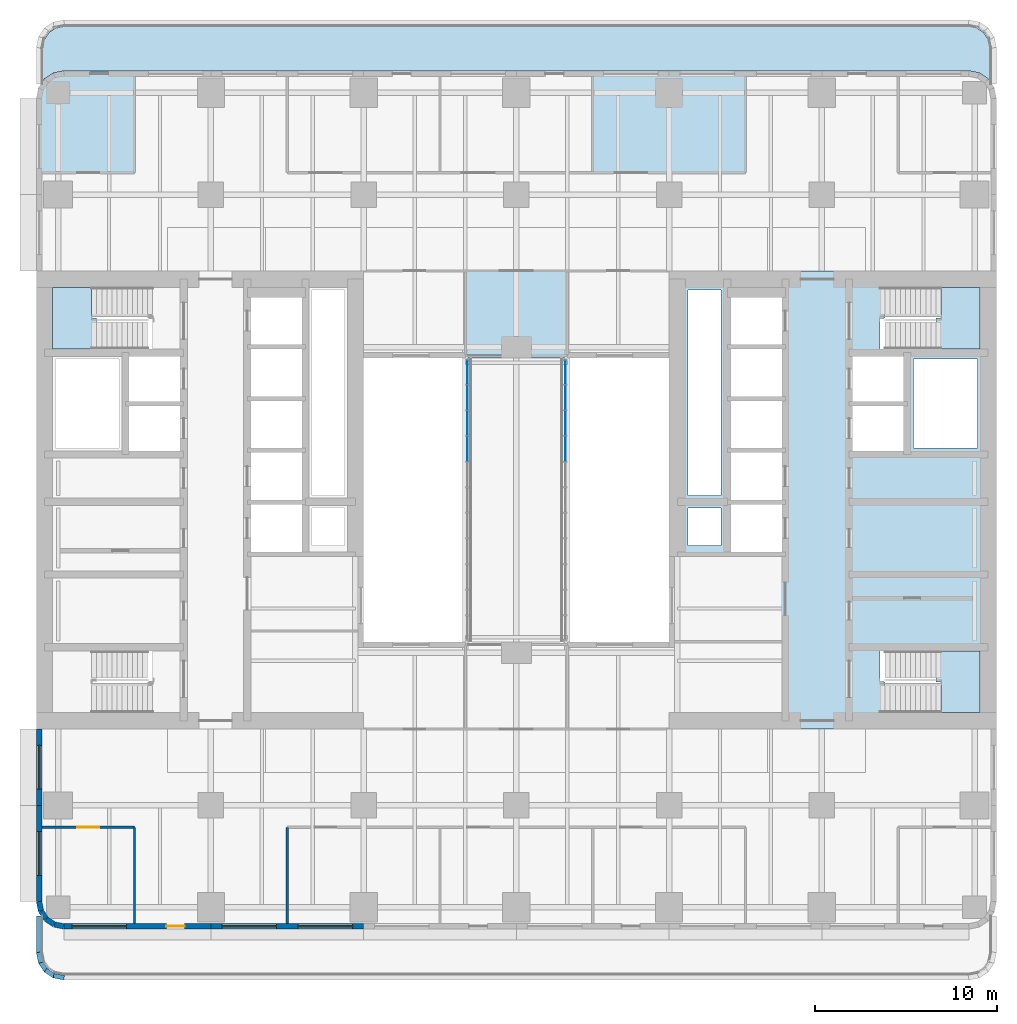
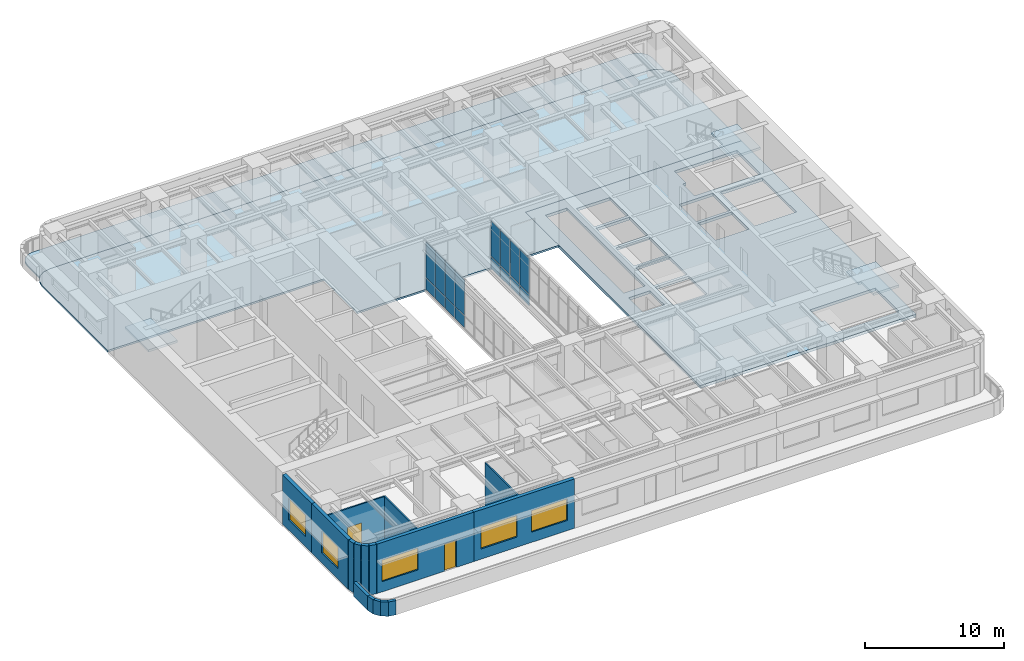
# One storey, part 7 of 17: 16 plates, 16 walls, 6 slabs, 5 windows, 2 doors, 7 openings, 5 elements without a shape of their own.
"""IFC4 building model written with IfcOpenShell, lengths in metres."""

from ifc_helpers import new_model, si_unit, direction, frame, frame_2d, origin, origin_2d, place, context, subcontext, project, spatial, polyline, rectangle, outline, extrude, material, layer, layer_set, type_object, element, fill, aggregate, save


model = new_model("IFC4")

# Units and contexts
model_context = context("Model", 3, precision=1e-05, world=origin(), true_north=direction((0.0, 1.0)))
body_context = subcontext(model_context, "Body", "Model", "MODEL_VIEW")
ifc_project = project(units=[si_unit("LENGTHUNIT", "METRE"), si_unit("AREAUNIT", "SQUARE_METRE"), si_unit("VOLUMEUNIT", "CUBIC_METRE"), si_unit("PLANEANGLEUNIT", "RADIAN"), si_unit("MASSUNIT", "GRAM", prefix="KILO")], contexts=[model_context])

# Site, building, storey
site_placement = place(None, origin())
site = spatial("IfcSite", under=ifc_project, at=site_placement, CompositionType="ELEMENT")
building_placement = place(site_placement, origin())
building = spatial("IfcBuilding", under=site, at=building_placement, Name="Claustro Exchange Tower", CompositionType="ELEMENT")
storey_placement = place(building_placement, frame((0.0, 0.0, 96.300048828125)))
storey = spatial("IfcBuildingStorey", under=building, at=storey_placement, Name="L21", CompositionType="ELEMENT", Elevation=96.300048828125)

# Curtain wall, plates
ifc_material_1 = material(Name="Aluminium frame, clear double glazing", Category="aluminium")
curtain_wall_type = type_object("IfcCurtainWallType", Name="CW2 sky bridge curtain wall", PredefinedType="USERDEFINED", material=ifc_material_1)
curtain_wall_1_placement = place(storey_placement, origin())
curtain_wall_1 = element("IfcCurtainWall", 1, at=curtain_wall_1_placement, inside=storey, type_object=curtain_wall_type, Name="Curtain wall CW2 L21", ObjectType="STICK CURTAIN WALL", PredefinedType="USERDEFINED")
ifc_material_2 = material(Name="Clear double glazing", Category="glass")
ifc_layer_1 = layer(ifc_material_2, 0.028076171875)
ifc_layer_set_1 = layer_set([ifc_layer_1], Name="Clear double glazing")
plate_type = type_object("IfcPlateType", Name="CW2-P 28 glazed panel", PredefinedType="CURTAIN_PANEL", material=ifc_layer_set_1)
plate_1_placement = place(storey_placement, frame((22.5, 28.01806640625, 0.06005859375), z_axis=(0.0, 0.0, 1.0), x_axis=(0.0, 1.0, 0.0)))
plate_1 = element("IfcPlate", 2, at=plate_1_placement, type_object=plate_type, Name="CW2 panel 8.1", PredefinedType="CURTAIN_PANEL", context=body_context, shape_type="SweptSolid", body=[
    extrude(rectangle(XDim=1.34912109375, YDim=0.028076171875, at=origin_2d()), origin(), (0.0, 0.0, 1.0), 1.010009765625),
])
plate_2_placement = place(storey_placement, frame((22.5, 28.01806640625, 1.1298828125), z_axis=(0.0, 0.0, 1.0), x_axis=(0.0, 1.0, 0.0)))
plate_2 = element("IfcPlate", 3, at=plate_2_placement, type_object=plate_type, Name="CW2 panel 8.2", PredefinedType="CURTAIN_PANEL", context=body_context, shape_type="SweptSolid", body=[
    extrude(rectangle(XDim=1.34912109375, YDim=0.028076171875, at=origin_2d()), origin(), (0.0, 0.0, 1.0), 3.110107421875),
])
plate_3_placement = place(storey_placement, frame((22.5, 29.42724609375, 0.06005859375), z_axis=(0.0, 0.0, 1.0), x_axis=(0.0, 1.0, 0.0)))
plate_3 = element("IfcPlate", 4, at=plate_3_placement, type_object=plate_type, Name="CW2 panel 9.1", PredefinedType="CURTAIN_PANEL", context=body_context, shape_type="SweptSolid", body=[
    extrude(rectangle(XDim=1.34912109375, YDim=0.028076171875, at=origin_2d()), origin(), (0.0, 0.0, 1.0), 1.010009765625),
])
plate_4_placement = place(storey_placement, frame((22.5, 29.42724609375, 1.1298828125), z_axis=(0.0, 0.0, 1.0), x_axis=(0.0, 1.0, 0.0)))
plate_4 = element("IfcPlate", 5, at=plate_4_placement, type_object=plate_type, Name="CW2 panel 9.2", PredefinedType="CURTAIN_PANEL", context=body_context, shape_type="SweptSolid", body=[
    extrude(rectangle(XDim=1.34912109375, YDim=0.028076171875, at=origin_2d()), origin(), (0.0, 0.0, 1.0), 3.110107421875),
])
plate_5_placement = place(storey_placement, frame((22.5, 30.83642578125, 0.06005859375), z_axis=(0.0, 0.0, 1.0), x_axis=(0.0, 1.0, 0.0)))
plate_5 = element("IfcPlate", 6, at=plate_5_placement, type_object=plate_type, Name="CW2 panel 10.1", PredefinedType="CURTAIN_PANEL", context=body_context, shape_type="SweptSolid", body=[
    extrude(rectangle(XDim=1.34912109375, YDim=0.028076171875, at=origin_2d()), origin(), (0.0, 0.0, 1.0), 1.010009765625),
])
plate_6_placement = place(storey_placement, frame((22.5, 30.83642578125, 1.1298828125), z_axis=(0.0, 0.0, 1.0), x_axis=(0.0, 1.0, 0.0)))
plate_6 = element("IfcPlate", 7, at=plate_6_placement, type_object=plate_type, Name="CW2 panel 10.2", PredefinedType="CURTAIN_PANEL", context=body_context, shape_type="SweptSolid", body=[
    extrude(rectangle(XDim=1.34912109375, YDim=0.028076171875, at=origin_2d()), origin(), (0.0, 0.0, 1.0), 3.110107421875),
])
plate_7_placement = place(storey_placement, frame((22.5, 32.23046875, 0.06005859375), z_axis=(0.0, 0.0, 1.0), x_axis=(0.0, 1.0, 0.0)))
plate_7 = element("IfcPlate", 8, at=plate_7_placement, type_object=plate_type, Name="CW2 panel 11.1", PredefinedType="CURTAIN_PANEL", context=body_context, shape_type="SweptSolid", body=[
    extrude(rectangle(XDim=1.319091796875, YDim=0.028076171875, at=origin_2d()), origin(), (0.0, 0.0, 1.0), 1.010009765625),
])
plate_8_placement = place(storey_placement, frame((22.5, 32.23046875, 1.1298828125), z_axis=(0.0, 0.0, 1.0), x_axis=(0.0, 1.0, 0.0)))
plate_8 = element("IfcPlate", 9, at=plate_8_placement, type_object=plate_type, Name="CW2 panel 11.2", PredefinedType="CURTAIN_PANEL", context=body_context, shape_type="SweptSolid", body=[
    extrude(rectangle(XDim=1.319091796875, YDim=0.028076171875, at=origin_2d()), origin(), (0.0, 0.0, 1.0), 3.110107421875),
])
aggregate(curtain_wall_1, [plate_1, plate_2, plate_3, plate_4, plate_5, plate_6, plate_7, plate_8])

curtain_wall_2_placement = place(storey_placement, origin())
curtain_wall_2 = element("IfcCurtainWall", 10, at=curtain_wall_2_placement, inside=storey, type_object=curtain_wall_type, Name="Curtain wall CW2 L21", ObjectType="STICK CURTAIN WALL", PredefinedType="USERDEFINED")
plate_9_placement = place(storey_placement, frame((27.89990234375, 28.01806640625, 0.06005859375), z_axis=(0.0, 0.0, 1.0), x_axis=(0.0, 1.0, 0.0)))
plate_9 = element("IfcPlate", 11, at=plate_9_placement, type_object=plate_type, Name="CW2 panel 8.1", PredefinedType="CURTAIN_PANEL", context=body_context, shape_type="SweptSolid", body=[
    extrude(rectangle(XDim=1.34912109375, YDim=0.028076171875, at=origin_2d()), origin(), (0.0, 0.0, 1.0), 1.010009765625),
])
plate_10_placement = place(storey_placement, frame((27.89990234375, 28.01806640625, 1.1298828125), z_axis=(0.0, 0.0, 1.0), x_axis=(0.0, 1.0, 0.0)))
plate_10 = element("IfcPlate", 12, at=plate_10_placement, type_object=plate_type, Name="CW2 panel 8.2", PredefinedType="CURTAIN_PANEL", context=body_context, shape_type="SweptSolid", body=[
    extrude(rectangle(XDim=1.34912109375, YDim=0.028076171875, at=origin_2d()), origin(), (0.0, 0.0, 1.0), 3.110107421875),
])
plate_11_placement = place(storey_placement, frame((27.89990234375, 29.42724609375, 0.06005859375), z_axis=(0.0, 0.0, 1.0), x_axis=(0.0, 1.0, 0.0)))
plate_11 = element("IfcPlate", 13, at=plate_11_placement, type_object=plate_type, Name="CW2 panel 9.1", PredefinedType="CURTAIN_PANEL", context=body_context, shape_type="SweptSolid", body=[
    extrude(rectangle(XDim=1.34912109375, YDim=0.028076171875, at=origin_2d()), origin(), (0.0, 0.0, 1.0), 1.010009765625),
])
plate_12_placement = place(storey_placement, frame((27.89990234375, 29.42724609375, 1.1298828125), z_axis=(0.0, 0.0, 1.0), x_axis=(0.0, 1.0, 0.0)))
plate_12 = element("IfcPlate", 14, at=plate_12_placement, type_object=plate_type, Name="CW2 panel 9.2", PredefinedType="CURTAIN_PANEL", context=body_context, shape_type="SweptSolid", body=[
    extrude(rectangle(XDim=1.34912109375, YDim=0.028076171875, at=origin_2d()), origin(), (0.0, 0.0, 1.0), 3.110107421875),
])
plate_13_placement = place(storey_placement, frame((27.89990234375, 30.83642578125, 0.06005859375), z_axis=(0.0, 0.0, 1.0), x_axis=(0.0, 1.0, 0.0)))
plate_13 = element("IfcPlate", 15, at=plate_13_placement, type_object=plate_type, Name="CW2 panel 10.1", PredefinedType="CURTAIN_PANEL", context=body_context, shape_type="SweptSolid", body=[
    extrude(rectangle(XDim=1.34912109375, YDim=0.028076171875, at=origin_2d()), origin(), (0.0, 0.0, 1.0), 1.010009765625),
])
plate_14_placement = place(storey_placement, frame((27.89990234375, 30.83642578125, 1.1298828125), z_axis=(0.0, 0.0, 1.0), x_axis=(0.0, 1.0, 0.0)))
plate_14 = element("IfcPlate", 16, at=plate_14_placement, type_object=plate_type, Name="CW2 panel 10.2", PredefinedType="CURTAIN_PANEL", context=body_context, shape_type="SweptSolid", body=[
    extrude(rectangle(XDim=1.34912109375, YDim=0.028076171875, at=origin_2d()), origin(), (0.0, 0.0, 1.0), 3.110107421875),
])
plate_15_placement = place(storey_placement, frame((27.89990234375, 32.23046875, 0.06005859375), z_axis=(0.0, 0.0, 1.0), x_axis=(0.0, 1.0, 0.0)))
plate_15 = element("IfcPlate", 17, at=plate_15_placement, type_object=plate_type, Name="CW2 panel 11.1", PredefinedType="CURTAIN_PANEL", context=body_context, shape_type="SweptSolid", body=[
    extrude(rectangle(XDim=1.319091796875, YDim=0.028076171875, at=origin_2d()), origin(), (0.0, 0.0, 1.0), 1.010009765625),
])
plate_16_placement = place(storey_placement, frame((27.89990234375, 32.23046875, 1.1298828125), z_axis=(0.0, 0.0, 1.0), x_axis=(0.0, 1.0, 0.0)))
plate_16 = element("IfcPlate", 18, at=plate_16_placement, type_object=plate_type, Name="CW2 panel 11.2", PredefinedType="CURTAIN_PANEL", context=body_context, shape_type="SweptSolid", body=[
    extrude(rectangle(XDim=1.319091796875, YDim=0.028076171875, at=origin_2d()), origin(), (0.0, 0.0, 1.0), 3.110107421875),
])
aggregate(curtain_wall_2, [plate_9, plate_10, plate_11, plate_12, plate_13, plate_14, plate_15, plate_16])

# Slabs
ifc_material_3 = material(Name="Precast concrete HA-30 (C30/37) paving slabs on adjustable pedestals over the inverted roof membrane", Category="concrete")
ifc_layer_2 = layer(ifc_material_3, 0.159912109375)
ifc_layer_set_2 = layer_set([ifc_layer_2], Name="Precast concrete HA-30 (C30/37) paving slabs on adjustable pedestals over the inverted roof membrane")
slab_type_1 = type_object("IfcSlabType", Name="PV2 160 terrace paving on pedestals", PredefinedType="USERDEFINED", material=ifc_layer_set_2)
slab_1_placement = place(storey_placement, frame((0.0, 0.0, -0.16015625)))
element("IfcSlab", 19, at=slab_1_placement, inside=storey, type_object=slab_type_1, Name="Terrace paving PV2 L21", ObjectType="PAVING", PredefinedType="USERDEFINED", context=body_context, shape_type="SweptSolid", body=[
    extrude(outline(polyline([(-0.85009765625, 50.0654296875), (-0.85009765625, 48.74609375), (-0.85009765625, 48.721923828125), (-0.85009765625, 48.22705078125), (-0.7607421875, 48.360595703125), (-0.27392578125, 48.685791015625), (0.300048828125, 48.800048828125), (50.10009765625, 48.800048828125), (50.674072265625, 48.685791015625), (51.16064453125, 48.360595703125), (51.25, 48.22705078125), (51.25, 48.721923828125), (51.25, 48.74609375), (51.25, 50.0654296875), (51.156005859375, 50.53759765625), (50.908447265625, 50.908447265625), (50.53759765625, 51.156005859375), (50.0654296875, 51.25), (0.33447265625, 51.25), (-0.137451171875, 51.156005859375), (-0.50830078125, 50.908447265625), (-0.756103515625, 50.53759765625), (-0.85009765625, 50.0654296875)])), origin(), (0.0, 0.0, 1.0), 0.16015625),
])
ifc_material_4 = material(Name="Concrete HA-50 (C50/60)", Category="concrete")
ifc_layer_3 = layer(ifc_material_4, 0.159912109375)
ifc_layer_set_3 = layer_set([ifc_layer_3], Name="Concrete HA-50 (C50/60)")
slab_type_2 = type_object("IfcSlabType", Name="S1 160 composite floor slab", PredefinedType="FLOOR", material=ifc_layer_set_3)
slab_2_placement = place(storey_placement, frame((0.0, 0.0, -0.16015625)))
element("IfcSlab", 20, at=slab_2_placement, inside=storey, type_object=slab_type_2, Name="Floor slab S1 N L21", PredefinedType="FLOOR", context=body_context, shape_type="SweptSolid", body=[
    extrude(outline(polyline([(16.800048828125, 37.800048828125), (16.800048828125, 33.0), (33.60009765625, 33.0), (33.60009765625, 37.800048828125), (51.60009765625, 37.800048828125), (51.60009765625, 47.300048828125), (51.48583984375, 47.8740234375), (51.16064453125, 48.360595703125), (50.674072265625, 48.685791015625), (50.10009765625, 48.800048828125), (0.300048828125, 48.800048828125), (-0.27392578125, 48.685791015625), (-0.7607421875, 48.360595703125), (-1.085693359375, 47.8740234375), (-1.199951171875, 47.300048828125), (-1.199951171875, 37.800048828125), (16.800048828125, 37.800048828125)])), origin(), (0.0, 0.0, 1.0), 0.16015625),
])
ifc_material_5 = material(Name="Concrete HA-50 (C50/60)", Category="concrete")
ifc_layer_4 = layer(ifc_material_5, 0.25)
ifc_layer_set_4 = layer_set([ifc_layer_4], Name="Concrete HA-50 (C50/60)")
slab_type_3 = type_object("IfcSlabType", Name="S7 250 core floor slab", PredefinedType="FLOOR", material=ifc_layer_set_4)
slab_3_placement = place(storey_placement, frame((0.0, 0.0, -0.25)))
element("IfcSlab", 21, at=slab_3_placement, inside=storey, type_object=slab_type_3, Name="Core floor slab S7 E core L21", PredefinedType="FLOOR", context=body_context, shape_type="SweptSolid", body=[
    extrude(outline(polyline([(33.60009765625, 12.60009765625), (51.60009765625, 12.60009765625), (51.60009765625, 37.800048828125), (33.60009765625, 37.800048828125), (33.60009765625, 12.60009765625)]), holes=[polyline([(45.47998046875, 15.199951171875), (45.205078125, 15.199951171875), (45.205078125, 16.89990234375), (50.699951171875, 16.89990234375), (50.699951171875, 15.199951171875), (50.699951171875, 13.5), (45.47998046875, 13.5), (45.47998046875, 15.199951171875)]), polyline([(45.47998046875, 35.199951171875), (45.47998046875, 36.89990234375), (50.699951171875, 36.89990234375), (50.699951171875, 35.199951171875), (50.699951171875, 33.5), (45.205078125, 33.5), (45.205078125, 35.199951171875), (45.47998046875, 35.199951171875)]), polyline([(50.550048828125, 32.949951171875), (50.550048828125, 28.050048828125), (47.050048828125, 28.050048828125), (47.050048828125, 32.949951171875), (50.550048828125, 32.949951171875)]), polyline([(43.699951171875, 33.10009765625), (46.5, 33.10009765625), (46.5, 30.625), (43.699951171875, 30.625), (43.699951171875, 33.10009765625)]), polyline([(46.5, 30.375), (46.5, 27.89990234375), (43.699951171875, 27.89990234375), (43.699951171875, 30.375), (46.5, 30.375)]), polyline([(37.0, 24.949951171875), (39.800048828125, 24.949951171875), (39.800048828125, 22.35009765625), (37.0, 22.35009765625), (37.0, 24.949951171875)]), polyline([(37.0, 30.64990234375), (39.800048828125, 30.64990234375), (39.800048828125, 28.050048828125), (37.0, 28.050048828125), (37.0, 30.64990234375)]), polyline([(39.800048828125, 27.800048828125), (39.800048828125, 25.199951171875), (37.0, 25.199951171875), (37.0, 27.800048828125), (39.800048828125, 27.800048828125)]), polyline([(39.800048828125, 33.5), (39.800048828125, 30.89990234375), (37.0, 30.89990234375), (37.0, 33.5), (39.800048828125, 33.5)]), polyline([(39.800048828125, 36.35009765625), (39.800048828125, 33.75), (37.0, 33.75), (37.0, 36.35009765625), (39.800048828125, 36.35009765625)]), polyline([(36.449951171875, 24.75), (36.449951171875, 22.699951171875), (34.64990234375, 22.699951171875), (34.64990234375, 24.75), (36.449951171875, 24.75)]), polyline([(36.449951171875, 36.75), (36.449951171875, 25.449951171875), (34.64990234375, 25.449951171875), (34.64990234375, 36.75), (36.449951171875, 36.75)])]), origin(), (0.0, 0.0, 1.0), 0.25),
])

# Stair, slab
ifc_material_6 = material(Name="Concrete HA-30 (C30/37), precast", Category="concrete")
stair_type = type_object("IfcStairType", Name="ST2 half-turn stair, 25 risers of 180", PredefinedType="HALF_TURN_STAIR", material=ifc_material_6)
stair_1_placement = place(storey_placement, origin())
stair_1 = element("IfcStair", 22, at=stair_1_placement, inside=storey, type_object=stair_type, Name="Stair STWB L21", PredefinedType="HALF_TURN_STAIR")
ifc_material_7 = material(Name="Concrete HA-30 (C30/37), precast", Category="concrete")
ifc_layer_5 = layer(ifc_material_7, 0.199951171875)
ifc_layer_set_5 = layer_set([ifc_layer_5], Name="Concrete HA-30 (C30/37), precast")
slab_type_4 = type_object("IfcSlabType", Name="S9 200 stair landing", PredefinedType="LANDING", material=ifc_layer_set_5)
slab_4_placement = place(storey_placement, frame((0.0, 0.0, 2.139892578125)))
slab_4 = element("IfcSlab", 23, at=slab_4_placement, type_object=slab_type_4, Name="STWB landing 1", PredefinedType="LANDING", context=body_context, shape_type="SweptSolid", body=[
    extrude(outline(polyline([(2.1201171875, 35.199951171875), (2.1201171875, 33.5), (1.844970703125, 33.5), (1.840087890625, 33.5), (-0.300048828125, 33.5), (-0.300048828125, 36.89990234375), (1.844970703125, 36.89990234375), (1.844970703125, 35.199951171875), (2.1201171875, 35.199951171875)])), origin(), (0.0, 0.0, 1.0), 0.199951171875),
])
aggregate(stair_1, [slab_4])

stair_2_placement = place(storey_placement, origin())
stair_2 = element("IfcStair", 24, at=stair_2_placement, inside=storey, type_object=stair_type, Name="Stair STEA L21", PredefinedType="HALF_TURN_STAIR")
slab_5_placement = place(storey_placement, frame((0.0, 0.0, 2.139892578125)))
slab_5 = element("IfcSlab", 25, at=slab_5_placement, type_object=slab_type_4, Name="STEA landing 1", PredefinedType="LANDING", context=body_context, shape_type="SweptSolid", body=[
    extrude(outline(polyline([(50.699951171875, 16.89990234375), (50.699951171875, 13.5), (48.554931640625, 13.5), (48.554931640625, 15.199951171875), (48.280029296875, 15.199951171875), (48.280029296875, 16.89990234375), (48.554931640625, 16.89990234375), (48.56005859375, 16.89990234375), (50.699951171875, 16.89990234375)])), origin(), (0.0, 0.0, 1.0), 0.199951171875),
])
aggregate(stair_2, [slab_5])

stair_3_placement = place(storey_placement, origin())
stair_3 = element("IfcStair", 26, at=stair_3_placement, inside=storey, type_object=stair_type, Name="Stair STEB L21", PredefinedType="HALF_TURN_STAIR")
slab_6_placement = place(storey_placement, frame((0.0, 0.0, 2.139892578125)))
slab_6 = element("IfcSlab", 27, at=slab_6_placement, type_object=slab_type_4, Name="STEB landing 1", PredefinedType="LANDING", context=body_context, shape_type="SweptSolid", body=[
    extrude(outline(polyline([(48.280029296875, 33.5), (48.280029296875, 35.199951171875), (48.554931640625, 35.199951171875), (48.554931640625, 36.89990234375), (50.699951171875, 36.89990234375), (50.699951171875, 33.5), (48.56005859375, 33.5), (48.554931640625, 33.5), (48.280029296875, 33.5)])), origin(), (0.0, 0.0, 1.0), 0.199951171875),
])
aggregate(stair_3, [slab_6])

# Wall, opening, door
ifc_material_8 = material(Name="Laminated glass in aluminium frame", Category="aluminium")
ifc_layer_6 = layer(ifc_material_8, 0.1201171875)
ifc_layer_set_6 = layer_set([ifc_layer_6], Name="Laminated glass in aluminium frame")
wall_type_1 = type_object("IfcWallType", Name="P2 120 glazed partition", PredefinedType="PARTITIONING", material=ifc_layer_set_6)
wall_1_placement = place(storey_placement, frame((-0.902099609375, 7.199951171875, 0.0), z_axis=(0.0, 0.0, 1.0), x_axis=(1.0, 0.0, 0.0)))
wall_1 = element("IfcWall", 28, at=wall_1_placement, inside=storey, type_object=wall_type_1, Name="Partition P2 L21", PredefinedType="PARTITIONING", context=body_context, shape_type="SweptSolid", body=[
    extrude(rectangle(XDim=5.10205078125, YDim=0.1201171875, at=frame_2d((2.551025390625, 0.0))), origin(), (0.0, 0.0, 1.0), 3.85986328125),
])
opening_1_placement = place(wall_1_placement, frame((1.951904296875, 0.0, 0.0)))
opening_1 = element("IfcOpeningElement", 29, at=opening_1_placement, cuts=wall_1, Name="Opening D6", PredefinedType="OPENING", context=body_context, shape_type="SweptSolid", body=[
    extrude(rectangle(XDim=1.199951171875, YDim=2.199951171875, at=frame_2d((0.60009765625, 1.10009765625))), frame((0.0, 0.070068359375, 0.0), z_axis=(0.0, -1.0, 0.0), x_axis=(1.0, 0.0, 0.0)), (0.0, 0.0, 1.0), 0.14013671875),
])
ifc_material_9 = material(Name="Timber door, oak veneer", Category="wood")
door_type_1 = type_object("IfcDoorType", Name="D6 1200 x 2200 unequal pair door", OperationType="DOUBLE_DOOR_SINGLE_SWING_OPPOSITE_LEFT", PredefinedType="DOOR", material=ifc_material_9)
door_1_placement = place(opening_1_placement, origin())
door_1 = element("IfcDoor", 30, at=door_1_placement, inside=storey, type_object=door_type_1, Name="Door D6 L21", OperationType="DOUBLE_DOOR_SINGLE_SWING_OPPOSITE_LEFT", OverallHeight=2.199951171875, OverallWidth=1.199951171875, PredefinedType="DOOR", context=body_context, shape_type="SweptSolid", body=[
    extrude(rectangle(XDim=1.199951171875, YDim=2.199951171875, at=frame_2d((0.60009765625, 1.10009765625))), frame((0.0, 0.02490234375, 0.0), z_axis=(0.0, -1.0, 0.0), x_axis=(1.0, 0.0, 0.0)), (0.0, 0.0, 1.0), 0.050048828125),
])
fill(opening_1, door_1)

# Walls
for number, where, z_axis, x_axis, name in (
    (31, (4.199951171875, 1.89794921875, 0.0), (0.0, 0.0, 1.0), (0.0, 1.0, 0.0), "Partition P2 L21"),
    (32, (12.60009765625, 1.89794921875, 0.0), (0.0, 0.0, 1.0), (0.0, 1.0, 0.0), "Partition P2 L21"),
):
    element("IfcWall", number, at=place(storey_placement, frame(where, z_axis=z_axis, x_axis=x_axis)), inside=storey, type_object=wall_type_1, Name=name, PredefinedType="PARTITIONING", context=body_context, shape_type="SweptSolid", body=[
        extrude(rectangle(XDim=5.302001953125, YDim=0.1201171875, at=frame_2d((2.65087890625, 0.0))), origin(), (0.0, 0.0, 1.0), 3.85986328125),
    ])

# Wall, openings, windows
ifc_material_10 = material(Name="Concrete HA-40 (C40/50), precast, white cement, acid-etched", Category="concrete")
ifc_layer_7 = layer(ifc_material_10, 0.300048828125)
ifc_layer_set_7 = layer_set([ifc_layer_7], Name="Concrete HA-40 (C40/50), precast, white cement, acid-etched")
wall_type_2 = type_object("IfcWallType", Name="PC1 300 precast concrete pier panel", PredefinedType="SOLIDWALL", material=ifc_layer_set_7)
wall_2_placement = place(storey_placement, frame((16.800048828125, 1.75, 0.0), z_axis=(0.0, 0.0, 1.0), x_axis=(-1.0, 0.0, 0.0)))
wall_2 = element("IfcWall", 33, at=wall_2_placement, inside=storey, type_object=wall_type_2, Name="Precast pier panel PC1 L21", PredefinedType="SOLIDWALL", context=body_context, shape_type="SweptSolid", body=[
    extrude(rectangle(XDim=8.400146484375, YDim=0.300048828125, at=frame_2d((4.2001953125, 0.0))), origin(), (0.0, 0.0, 1.0), 4.349853515625),
])
opening_2_placement = place(wall_2_placement, frame((0.60009765625, 0.0, 0.89990234375)))
opening_2 = element("IfcOpeningElement", 34, at=opening_2_placement, cuts=wall_2, Name="Opening W1", PredefinedType="OPENING", context=body_context, shape_type="SweptSolid", body=[
    extrude(rectangle(XDim=3.0, YDim=1.89990234375, at=frame_2d((1.5, 0.949951171875))), frame((0.0, 0.159912109375, 0.0), z_axis=(0.0, -1.0, 0.0), x_axis=(1.0, 0.0, 0.0)), (0.0, 0.0, 1.0), 0.320068359375),
])
opening_3_placement = place(wall_2_placement, frame((4.800048828125, 0.0, 0.89990234375)))
opening_3 = element("IfcOpeningElement", 35, at=opening_3_placement, cuts=wall_2, Name="Opening W1", PredefinedType="OPENING", context=body_context, shape_type="SweptSolid", body=[
    extrude(rectangle(XDim=3.0, YDim=1.89990234375, at=frame_2d((1.5, 0.949951171875))), frame((0.0, 0.159912109375, 0.0), z_axis=(0.0, -1.0, 0.0), x_axis=(1.0, 0.0, 0.0)), (0.0, 0.0, 1.0), 0.320068359375),
])
ifc_material_11 = material(Name="Aluminium frame, clear double glazing", Category="aluminium")
window_type_1 = type_object("IfcWindowType", Name="W1 3000 x 1900 window", PartitioningType="SINGLE_PANEL", PredefinedType="WINDOW", material=ifc_material_11)
window_1_placement = place(opening_2_placement, origin())
window_1 = element("IfcWindow", 36, at=window_1_placement, inside=storey, type_object=window_type_1, Name="Window W1 L21", OverallHeight=1.89990234375, OverallWidth=3.0, PartitioningType="SINGLE_PANEL", PredefinedType="WINDOW", context=body_context, shape_type="SweptSolid", body=[
    extrude(rectangle(XDim=3.0, YDim=1.89990234375, at=frame_2d((1.5, 0.949951171875))), frame((0.0, 0.030029296875, 0.0), z_axis=(0.0, -1.0, 0.0), x_axis=(1.0, 0.0, 0.0)), (0.0, 0.0, 1.0), 0.06005859375),
])
fill(opening_2, window_1)
window_2_placement = place(opening_3_placement, origin())
window_2 = element("IfcWindow", 37, at=window_2_placement, inside=storey, type_object=window_type_1, Name="Window W1 L21", OverallHeight=1.89990234375, OverallWidth=3.0, PartitioningType="SINGLE_PANEL", PredefinedType="WINDOW", context=body_context, shape_type="SweptSolid", body=[
    extrude(rectangle(XDim=3.0, YDim=1.89990234375, at=frame_2d((1.5, 0.949951171875))), frame((0.0, 0.030029296875, 0.0), z_axis=(0.0, -1.0, 0.0), x_axis=(1.0, 0.0, 0.0)), (0.0, 0.0, 1.0), 0.06005859375),
])
fill(opening_3, window_2)

# Wall, openings, door, window
wall_3_placement = place(storey_placement, frame((8.39990234375, 1.75, 0.0), z_axis=(0.0, 0.0, 1.0), x_axis=(-1.0, 0.0, 0.0)))
wall_3 = element("IfcWall", 38, at=wall_3_placement, inside=storey, type_object=wall_type_2, Name="Precast pier panel PC1 L21", PredefinedType="SOLIDWALL", context=body_context, shape_type="SweptSolid", body=[
    extrude(rectangle(XDim=8.085205078125, YDim=0.300048828125, at=frame_2d((4.04248046875, 0.0))), origin(), (0.0, 0.0, 1.0), 4.349853515625),
])
opening_4_placement = place(wall_3_placement, frame((4.642578125, 0.0, 0.89990234375)))
opening_4 = element("IfcOpeningElement", 39, at=opening_4_placement, cuts=wall_3, Name="Opening W1", PredefinedType="OPENING", context=body_context, shape_type="SweptSolid", body=[
    extrude(rectangle(XDim=3.0, YDim=1.89990234375, at=frame_2d((1.5, 0.949951171875))), frame((0.0, 0.159912109375, 0.0), z_axis=(0.0, -1.0, 0.0), x_axis=(1.0, 0.0, 0.0)), (0.0, 0.0, 1.0), 0.320068359375),
])
opening_5_placement = place(wall_3_placement, frame((1.442626953125, 0.0, 0.0)))
opening_5 = element("IfcOpeningElement", 40, at=opening_5_placement, cuts=wall_3, Name="Opening D-T", PredefinedType="OPENING", context=body_context, shape_type="SweptSolid", body=[
    extrude(rectangle(XDim=1.0, YDim=2.39990234375, at=frame_2d((0.5, 1.199951171875))), frame((0.0, 0.159912109375, 0.0), z_axis=(0.0, -1.0, 0.0), x_axis=(1.0, 0.0, 0.0)), (0.0, 0.0, 1.0), 0.320068359375),
])
ifc_material_12 = material(Name="Aluminium frame, clear double glazing", Category="aluminium")
door_type_2 = type_object("IfcDoorType", Name="D-T 1000 x 2400 terrace door", OperationType="SINGLE_SWING_LEFT", PredefinedType="DOOR", material=ifc_material_12)
door_2_placement = place(opening_5_placement, origin())
door_2 = element("IfcDoor", 41, at=door_2_placement, inside=storey, type_object=door_type_2, Name="Terrace door D-T L21", OperationType="SINGLE_SWING_RIGHT", OverallHeight=2.39990234375, OverallWidth=1.0, PredefinedType="DOOR", context=body_context, shape_type="SweptSolid", body=[
    extrude(rectangle(XDim=1.0, YDim=2.39990234375, at=frame_2d((0.5, 1.199951171875))), frame((0.0, 0.02490234375, 0.0), z_axis=(0.0, -1.0, 0.0), x_axis=(1.0, 0.0, 0.0)), (0.0, 0.0, 1.0), 0.050048828125),
])
fill(opening_5, door_2)
window_3_placement = place(opening_4_placement, origin())
window_3 = element("IfcWindow", 42, at=window_3_placement, inside=storey, type_object=window_type_1, Name="Window W1 L21", OverallHeight=1.89990234375, OverallWidth=3.0, PartitioningType="SINGLE_PANEL", PredefinedType="WINDOW", context=body_context, shape_type="SweptSolid", body=[
    extrude(rectangle(XDim=3.0, YDim=1.89990234375, at=frame_2d((1.5, 0.949951171875))), frame((0.0, 0.030029296875, 0.0), z_axis=(0.0, -1.0, 0.0), x_axis=(1.0, 0.0, 0.0)), (0.0, 0.0, 1.0), 0.06005859375),
])
fill(opening_4, window_3)

# Walls
wall_4_placement = place(storey_placement, frame((0.314697265625, 1.75, 0.0), z_axis=(0.0, 0.0, 1.0), x_axis=(-0.980788534345, 0.195073962632, 0.0)))
element("IfcWall", 43, at=wall_4_placement, inside=storey, type_object=wall_type_2, Name="Precast pier panel PC1 L21", PredefinedType="SOLIDWALL", context=body_context, shape_type="SweptSolid", body=[
    extrude(rectangle(XDim=0.540771484375, YDim=0.300048828125, at=frame_2d((0.2705078125, 0.0))), origin(), (0.0, 0.0, 1.0), 4.349853515625),
])
for number, where, z_axis, x_axis, name in (
    (44, (-0.215576171875, 1.85546875, 0.0), (0.0, 0.0, 1.0), (-0.831478144188, 0.555557463938, 0.0), "Precast pier panel PC1 L21"),
    (45, (-0.652587890625, 2.1474609375, 0.0), (0.0, 0.0, 1.0), (-0.555557463938, 0.831478144188, 0.0), "Precast pier panel PC1 L21"),
):
    element("IfcWall", number, at=place(storey_placement, frame(where, z_axis=z_axis, x_axis=x_axis)), inside=storey, type_object=wall_type_2, Name=name, PredefinedType="SOLIDWALL", context=body_context, shape_type="SweptSolid", body=[
        extrude(rectangle(XDim=0.525634765625, YDim=0.300048828125, at=frame_2d((0.2626953125, 0.0))), origin(), (0.0, 0.0, 1.0), 4.349853515625),
    ])
wall_5_placement = place(storey_placement, frame((-0.944580078125, 2.58447265625, 0.0), z_axis=(0.0, 0.0, 1.0), x_axis=(-0.195073962632, 0.980788534345, 0.0)))
element("IfcWall", 46, at=wall_5_placement, inside=storey, type_object=wall_type_2, Name="Precast pier panel PC1 L21", PredefinedType="SOLIDWALL", context=body_context, shape_type="SweptSolid", body=[
    extrude(rectangle(XDim=0.540771484375, YDim=0.300048828125, at=frame_2d((0.2705078125, 0.0))), origin(), (0.0, 0.0, 1.0), 4.349853515625),
])

# Wall, opening, window
wall_6_placement = place(storey_placement, frame((-1.050048828125, 3.11474609375, 0.0), z_axis=(0.0, 0.0, 1.0), x_axis=(0.0, 1.0, 0.0)))
wall_6 = element("IfcWall", 47, at=wall_6_placement, inside=storey, type_object=wall_type_2, Name="Precast pier panel PC1 L21", PredefinedType="SOLIDWALL", context=body_context, shape_type="SweptSolid", body=[
    extrude(rectangle(XDim=5.28515625, YDim=0.300048828125, at=frame_2d((2.642578125, 0.0))), origin(), (0.0, 0.0, 1.0), 4.349853515625),
])
opening_6_placement = place(wall_6_placement, frame((1.442626953125, 0.0, 0.89990234375)))
opening_6 = element("IfcOpeningElement", 48, at=opening_6_placement, cuts=wall_6, Name="Opening W2", PredefinedType="OPENING", context=body_context, shape_type="SweptSolid", body=[
    extrude(rectangle(XDim=2.39990234375, YDim=1.89990234375, at=frame_2d((1.199951171875, 0.949951171875))), frame((0.0, 0.159912109375, 0.0), z_axis=(0.0, -1.0, 0.0), x_axis=(1.0, 0.0, 0.0)), (0.0, 0.0, 1.0), 0.320068359375),
])
ifc_material_13 = material(Name="Aluminium frame, clear double glazing", Category="aluminium")
window_type_2 = type_object("IfcWindowType", Name="W2 2400 x 1900 window", PartitioningType="SINGLE_PANEL", PredefinedType="WINDOW", material=ifc_material_13)
window_4_placement = place(opening_6_placement, origin())
window_4 = element("IfcWindow", 49, at=window_4_placement, inside=storey, type_object=window_type_2, Name="Window W2 L21", OverallHeight=1.89990234375, OverallWidth=2.39990234375, PartitioningType="SINGLE_PANEL", PredefinedType="WINDOW", context=body_context, shape_type="SweptSolid", body=[
    extrude(rectangle(XDim=2.39990234375, YDim=1.89990234375, at=frame_2d((1.199951171875, 0.949951171875))), frame((0.0, 0.030029296875, 0.0), z_axis=(0.0, -1.0, 0.0), x_axis=(1.0, 0.0, 0.0)), (0.0, 0.0, 1.0), 0.06005859375),
])
fill(opening_6, window_4)

wall_7_placement = place(storey_placement, frame((-1.050048828125, 8.39990234375, 0.0), z_axis=(0.0, 0.0, 1.0), x_axis=(0.0, 1.0, 0.0)))
wall_7 = element("IfcWall", 50, at=wall_7_placement, inside=storey, type_object=wall_type_2, Name="Precast pier panel PC1 L21", PredefinedType="SOLIDWALL", context=body_context, shape_type="SweptSolid", body=[
    extrude(rectangle(XDim=4.2001953125, YDim=0.300048828125, at=frame_2d((2.10009765625, 0.0))), origin(), (0.0, 0.0, 1.0), 4.349853515625),
])
opening_7_placement = place(wall_7_placement, frame((0.89990234375, 0.0, 0.89990234375)))
opening_7 = element("IfcOpeningElement", 51, at=opening_7_placement, cuts=wall_7, Name="Opening W2", PredefinedType="OPENING", context=body_context, shape_type="SweptSolid", body=[
    extrude(rectangle(XDim=2.39990234375, YDim=1.89990234375, at=frame_2d((1.199951171875, 0.949951171875))), frame((0.0, 0.159912109375, 0.0), z_axis=(0.0, -1.0, 0.0), x_axis=(1.0, 0.0, 0.0)), (0.0, 0.0, 1.0), 0.320068359375),
])
window_5_placement = place(opening_7_placement, origin())
window_5 = element("IfcWindow", 52, at=window_5_placement, inside=storey, type_object=window_type_2, Name="Window W2 L21", OverallHeight=1.89990234375, OverallWidth=2.39990234375, PartitioningType="SINGLE_PANEL", PredefinedType="WINDOW", context=body_context, shape_type="SweptSolid", body=[
    extrude(rectangle(XDim=2.39990234375, YDim=1.89990234375, at=frame_2d((1.199951171875, 0.949951171875))), frame((0.0, 0.030029296875, 0.0), z_axis=(0.0, -1.0, 0.0), x_axis=(1.0, 0.0, 0.0)), (0.0, 0.0, 1.0), 0.06005859375),
])
fill(opening_7, window_5)

# Walls
ifc_material_14 = material(Name="Concrete HA-40 (C40/50), precast, white cement, acid-etched", Category="concrete")
ifc_layer_8 = layer(ifc_material_14, 0.25)
ifc_layer_set_8 = layer_set([ifc_layer_8], Name="Concrete HA-40 (C40/50), precast, white cement, acid-etched")
wall_type_3 = type_object("IfcWallType", Name="PP1 250 precast concrete parapet", PredefinedType="PARAPET", material=ifc_layer_set_8)
for number, where, z_axis, x_axis, name in (
    (53, (-0.20458984375, -0.98193359375, -0.16015625), (0.0, 0.0, 1.0), (-0.831536683512, 0.555469840741, 0.0), "Parapet PP1 roof at +96.140"),
    (54, (-0.65673828125, -0.69140625, -0.16015625), (0.0, 0.0, 1.0), (-0.555469840741, 0.831536683512, 0.0), "Parapet PP1 roof at +96.140"),
):
    element("IfcWall", number, at=place(storey_placement, frame(where, z_axis=z_axis, x_axis=x_axis)), inside=storey, type_object=wall_type_3, Name=name, PredefinedType="PARAPET", context=body_context, shape_type="SweptSolid", body=[
        extrude(rectangle(XDim=0.58544921875, YDim=0.25, at=frame_2d((0.292724609375, 0.0))), origin(), (0.0, 0.0, 1.0), 1.260009765625),
    ])
wall_8_placement = place(storey_placement, frame((-0.963134765625, -0.24951171875, -0.16015625), z_axis=(0.0, 0.0, 1.0), x_axis=(-0.195233589627, 0.980756771825, 0.0)))
element("IfcWall", 55, at=wall_8_placement, inside=storey, type_object=wall_type_3, Name="Parapet PP1 roof at +96.140", PredefinedType="PARAPET", context=body_context, shape_type="SweptSolid", body=[
    extrude(rectangle(XDim=0.585205078125, YDim=0.25, at=frame_2d((0.29248046875, 0.0))), origin(), (0.0, 0.0, 1.0), 1.260009765625),
])
wall_9_placement = place(storey_placement, frame((-1.074951171875, 0.300048828125, -0.16015625), z_axis=(0.0, 0.0, 1.0), x_axis=(0.0, 1.0, 0.0)))
element("IfcWall", 56, at=wall_9_placement, inside=storey, type_object=wall_type_3, Name="Parapet PP1 roof at +96.140", PredefinedType="PARAPET", context=body_context, shape_type="SweptSolid", body=[
    extrude(rectangle(XDim=2.023193359375, YDim=0.25, at=frame_2d((1.01171875, 0.0))), origin(), (0.0, 0.0, 1.0), 1.260009765625),
])
wall_10_placement = place(storey_placement, frame((0.324462890625, -1.077392578125, -0.16015625), z_axis=(0.0, 0.0, 1.0), x_axis=(-0.980756771825, 0.195233589627, 0.0)))
element("IfcWall", 57, at=wall_10_placement, inside=storey, type_object=wall_type_3, Name="Parapet PP1 roof at +96.140", PredefinedType="PARAPET", context=body_context, shape_type="SweptSolid", body=[
    extrude(rectangle(XDim=0.585205078125, YDim=0.25, at=frame_2d((0.29248046875, 0.0))), origin(), (0.0, 0.0, 1.0), 1.260009765625),
])

save(model, "model.ifc")
